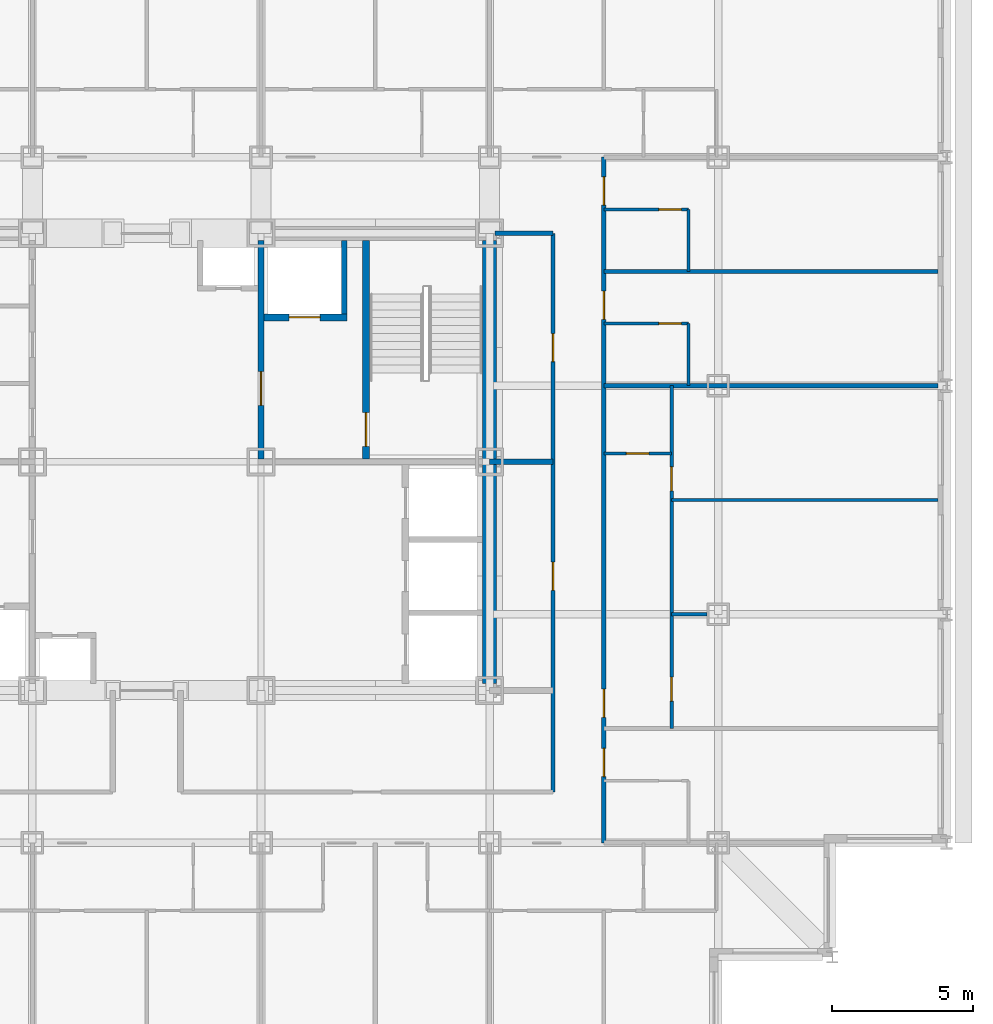
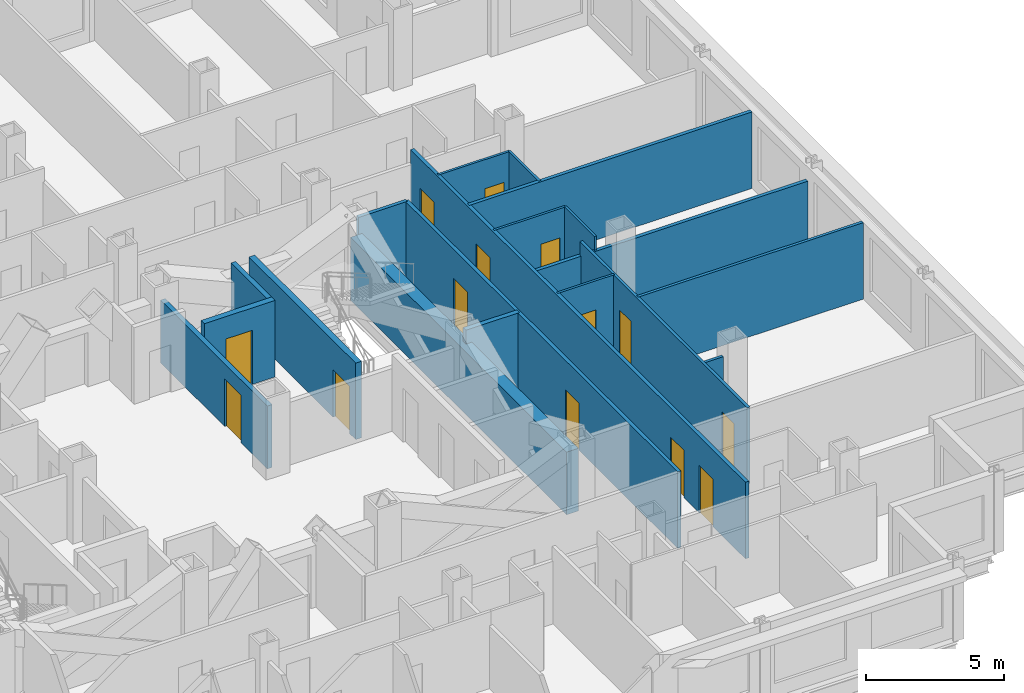
# One storey, part 8 of 12: 19 walls, 14 doors, 14 openings.
"""IFC4 building model written with IfcOpenShell, lengths in metres."""

from ifc_helpers import new_model, si_unit, direction, frame, frame_2d, origin, place, context, subcontext, project, spatial, rectangle, extrude, material, layer, layer_set, type_object, element, fill, save


model = new_model("IFC4")

# Units and contexts
model_context = context("Model", 3, precision=1e-05, world=origin(), true_north=direction((0.0, 1.0)))
body_context = subcontext(model_context, "Body", "Model", "MODEL_VIEW")
ifc_project = project(units=[si_unit("LENGTHUNIT", "METRE"), si_unit("AREAUNIT", "SQUARE_METRE"), si_unit("VOLUMEUNIT", "CUBIC_METRE"), si_unit("PLANEANGLEUNIT", "RADIAN"), si_unit("MASSUNIT", "GRAM", prefix="KILO")], contexts=[model_context])

# Site, building, storey
site_placement = place(None, origin())
site = spatial("IfcSite", under=ifc_project, at=site_placement, CompositionType="ELEMENT")
building_placement = place(site_placement, origin())
building = spatial("IfcBuilding", under=site, at=building_placement, Name="Kopane Lantern Tower", CompositionType="ELEMENT")
storey_placement = place(building_placement, frame((0.0, 0.0, 170.39990234375)))
storey = spatial("IfcBuildingStorey", under=building, at=storey_placement, Name="L43", CompositionType="ELEMENT", Elevation=170.39990234375)

# Wall, openings, doors
ifc_material_1 = material(Name="Gypsum board on steel studs", Category="steel")
ifc_layer_1 = layer(ifc_material_1, 0.1201171875)
ifc_layer_set_1 = layer_set([ifc_layer_1], Name="APARTMENT INTERNAL WALL 120")
wall_type_1 = type_object("IfcWallType", Name="APARTMENT INTERNAL WALL 120", PredefinedType="PARTITIONING", material=ifc_layer_set_1)
wall_1_placement = place(storey_placement, frame((46.949951171875, 22.949951171875, 0.0), z_axis=(0.0, 0.0, 1.0), x_axis=(0.0, 1.0, 0.0)))
wall_1 = element("IfcWall", 1, at=wall_1_placement, inside=storey, type_object=wall_type_1, Name="Apartment Internal Wall 120 L43", PredefinedType="PARTITIONING", context=body_context, shape_type="SweptSolid", body=[
    extrude(rectangle(XDim=12.150146484375, YDim=0.1201171875, at=frame_2d((6.0751953125, 0.0))), origin(), (0.0, 0.0, 1.0), 3.39013671875),
])
opening_1_placement = place(wall_1_placement, frame((0.97509765625, 0.0, 0.0)))
opening_1 = element("IfcOpeningElement", 2, at=opening_1_placement, cuts=wall_1, Name="Opening L43-048", PredefinedType="OPENING", context=body_context, shape_type="SweptSolid", body=[
    extrude(rectangle(XDim=0.85009765625, YDim=2.10009765625, at=frame_2d((0.425048828125, 1.050048828125))), frame((0.0, 0.070068359375, 0.0), z_axis=(0.0, -1.0, 0.0), x_axis=(1.0, 0.0, 0.0)), (0.0, 0.0, 1.0), 0.14013671875),
])
opening_2_placement = place(wall_1_placement, frame((8.425048828125, 0.0, 0.0)))
opening_2 = element("IfcOpeningElement", 3, at=opening_2_placement, cuts=wall_1, Name="Opening L43-049", PredefinedType="OPENING", context=body_context, shape_type="SweptSolid", body=[
    extrude(rectangle(XDim=0.85009765625, YDim=2.10009765625, at=frame_2d((0.425048828125, 1.050048828125))), frame((0.0, 0.070068359375, 0.0), z_axis=(0.0, -1.0, 0.0), x_axis=(1.0, 0.0, 0.0)), (0.0, 0.0, 1.0), 0.14013671875),
])
ifc_material_2 = material(Name="Timber door set", Category="wood")
door_type_1 = type_object("IfcDoorType", Name="DOOR D4 850x2100", OperationType="SINGLE_SWING_LEFT", PredefinedType="DOOR", material=ifc_material_2)
door_1_placement = place(opening_1_placement, origin())
door_1 = element("IfcDoor", 4, at=door_1_placement, inside=storey, type_object=door_type_1, Name="Door L43-048", OperationType="SINGLE_SWING_LEFT", OverallHeight=2.10009765625, OverallWidth=0.85009765625, PredefinedType="DOOR", context=body_context, shape_type="SweptSolid", body=[
    extrude(rectangle(XDim=0.85009765625, YDim=2.10009765625, at=frame_2d((0.425048828125, 1.050048828125))), frame((0.0, 0.02490234375, 0.0), z_axis=(0.0, -1.0, 0.0), x_axis=(1.0, 0.0, 0.0)), (0.0, 0.0, 1.0), 0.050048828125),
])
fill(opening_1, door_1)
door_2_placement = place(opening_2_placement, origin())
door_2 = element("IfcDoor", 5, at=door_2_placement, inside=storey, type_object=door_type_1, Name="Door L43-049", OperationType="SINGLE_SWING_RIGHT", OverallHeight=2.10009765625, OverallWidth=0.85009765625, PredefinedType="DOOR", context=body_context, shape_type="SweptSolid", body=[
    extrude(rectangle(XDim=0.85009765625, YDim=2.10009765625, at=frame_2d((0.425048828125, 1.050048828125))), frame((0.0, 0.02490234375, 0.0), z_axis=(0.0, -1.0, 0.0), x_axis=(1.0, 0.0, 0.0)), (0.0, 0.0, 1.0), 0.050048828125),
])
fill(opening_2, door_2)

# Walls
wall_2_placement = place(storey_placement, frame((46.949951171875, 31.050048828125, 0.0), z_axis=(0.0, 0.0, 1.0), x_axis=(1.0, 0.0, 0.0)))
element("IfcWall", 6, at=wall_2_placement, inside=storey, type_object=wall_type_1, Name="Apartment Internal Wall 120 L43", PredefinedType="PARTITIONING", context=body_context, shape_type="SweptSolid", body=[
    extrude(rectangle(XDim=9.449951171875, YDim=0.1201171875, at=frame_2d((4.72509765625, 0.0))), origin(), (0.0, 0.0, 1.0), 3.39013671875),
])
wall_3_placement = place(storey_placement, frame((46.949951171875, 27.0, 0.0), z_axis=(0.0, 0.0, 1.0), x_axis=(1.0, 0.0, 0.0)))
element("IfcWall", 7, at=wall_3_placement, inside=storey, type_object=wall_type_1, Name="Apartment Internal Wall 120 L43", PredefinedType="PARTITIONING", context=body_context, shape_type="SweptSolid", body=[
    extrude(rectangle(XDim=1.25, YDim=0.1201171875, at=frame_2d((0.625, 0.0))), origin(), (0.0, 0.0, 1.0), 2.77783203125),
])

# Wall, opening, door
ifc_material_3 = material(Name="Moisture-resistant board on steel studs", Category="steel")
ifc_layer_2 = layer(ifc_material_3, 0.10009765625)
ifc_layer_set_2 = layer_set([ifc_layer_2], Name="BATHROOM WALL 100")
wall_type_2 = type_object("IfcWallType", Name="BATHROOM WALL 100", PredefinedType="PARTITIONING", material=ifc_layer_set_2)
wall_4_placement = place(storey_placement, frame((44.550048828125, 32.699951171875, 0.0), z_axis=(0.0, 0.0, 1.0), x_axis=(1.0, 0.0, 0.0)))
wall_4 = element("IfcWall", 8, at=wall_4_placement, inside=storey, type_object=wall_type_2, Name="Bathroom Wall 100 L43", PredefinedType="PARTITIONING", context=body_context, shape_type="SweptSolid", body=[
    extrude(rectangle(XDim=2.39990234375, YDim=0.10009765625, at=frame_2d((1.199951171875, 0.0))), origin(), (0.0, 0.0, 1.0), 3.39013671875),
])
opening_3_placement = place(wall_4_placement, frame((0.800048828125, 0.0, 0.0)))
opening_3 = element("IfcOpeningElement", 9, at=opening_3_placement, cuts=wall_4, Name="Opening L43-046", PredefinedType="OPENING", context=body_context, shape_type="SweptSolid", body=[
    extrude(rectangle(XDim=0.800048828125, YDim=2.10009765625, at=frame_2d((0.39990234375, 1.050048828125))), frame((0.0, 0.06005859375, 0.0), z_axis=(0.0, -1.0, 0.0), x_axis=(1.0, 0.0, 0.0)), (0.0, 0.0, 1.0), 0.1201171875),
])
ifc_material_4 = material(Name="Timber door set", Category="wood")
door_type_2 = type_object("IfcDoorType", Name="DOOR D2 800x2100", OperationType="SINGLE_SWING_LEFT", PredefinedType="DOOR", material=ifc_material_4)
door_3_placement = place(opening_3_placement, origin())
door_3 = element("IfcDoor", 10, at=door_3_placement, inside=storey, type_object=door_type_2, Name="Door L43-046", OperationType="SINGLE_SWING_LEFT", OverallHeight=2.10009765625, OverallWidth=0.800048828125, PredefinedType="DOOR", context=body_context, shape_type="SweptSolid", body=[
    extrude(rectangle(XDim=0.800048828125, YDim=2.10009765625, at=frame_2d((0.39990234375, 1.050048828125))), frame((0.0, 0.02490234375, 0.0), z_axis=(0.0, -1.0, 0.0), x_axis=(1.0, 0.0, 0.0)), (0.0, 0.0, 1.0), 0.050048828125),
])
fill(opening_3, door_3)

# Wall
wall_5_placement = place(storey_placement, frame((47.550048828125, 35.10009765625, 0.0), z_axis=(0.0, 0.0, 1.0), x_axis=(0.0, 1.0, 0.0)))
element("IfcWall", 11, at=wall_5_placement, inside=storey, type_object=wall_type_2, Name="Bathroom Wall 100 L43", PredefinedType="PARTITIONING", context=body_context, shape_type="SweptSolid", body=[
    extrude(rectangle(XDim=2.199951171875, YDim=0.10009765625, at=frame_2d((1.10009765625, 0.0))), origin(), (0.0, 0.0, 1.0), 3.39013671875),
])

# Wall, opening, door
wall_6_placement = place(storey_placement, frame((44.550048828125, 37.300048828125, 0.0), z_axis=(0.0, 0.0, 1.0), x_axis=(1.0, 0.0, 0.0)))
wall_6 = element("IfcWall", 12, at=wall_6_placement, inside=storey, type_object=wall_type_2, Name="Bathroom Wall 100 L43", PredefinedType="PARTITIONING", context=body_context, shape_type="SweptSolid", body=[
    extrude(rectangle(XDim=3.0, YDim=0.10009765625, at=frame_2d((1.5, 0.0))), origin(), (0.0, 0.0, 1.0), 3.39013671875),
])
opening_4_placement = place(wall_6_placement, frame((1.949951171875, 0.0, 0.0)))
opening_4 = element("IfcOpeningElement", 13, at=opening_4_placement, cuts=wall_6, Name="Opening L43-050", PredefinedType="OPENING", context=body_context, shape_type="SweptSolid", body=[
    extrude(rectangle(XDim=0.800048828125, YDim=2.10009765625, at=frame_2d((0.39990234375, 1.050048828125))), frame((0.0, 0.06005859375, 0.0), z_axis=(0.0, -1.0, 0.0), x_axis=(1.0, 0.0, 0.0)), (0.0, 0.0, 1.0), 0.1201171875),
])
door_4_placement = place(opening_4_placement, origin())
door_4 = element("IfcDoor", 14, at=door_4_placement, inside=storey, type_object=door_type_2, Name="Door L43-050", OperationType="SINGLE_SWING_LEFT", OverallHeight=2.10009765625, OverallWidth=0.800048828125, PredefinedType="DOOR", context=body_context, shape_type="SweptSolid", body=[
    extrude(rectangle(XDim=0.800048828125, YDim=2.10009765625, at=frame_2d((0.39990234375, 1.050048828125))), frame((0.0, 0.02490234375, 0.0), z_axis=(0.0, -1.0, 0.0), x_axis=(1.0, 0.0, 0.0)), (0.0, 0.0, 1.0), 0.050048828125),
])
fill(opening_4, door_4)

# Wall
wall_7_placement = place(storey_placement, frame((47.550048828125, 39.14990234375, 0.0), z_axis=(0.0, 0.0, 1.0), x_axis=(0.0, 1.0, 0.0)))
element("IfcWall", 15, at=wall_7_placement, inside=storey, type_object=wall_type_2, Name="Bathroom Wall 100 L43", PredefinedType="PARTITIONING", context=body_context, shape_type="SweptSolid", body=[
    extrude(rectangle(XDim=2.2001953125, YDim=0.10009765625, at=frame_2d((1.10009765625, 0.0))), origin(), (0.0, 0.0, 1.0), 3.39013671875),
])

# Wall, opening, door
wall_8_placement = place(storey_placement, frame((44.550048828125, 41.35009765625, 0.0), z_axis=(0.0, 0.0, 1.0), x_axis=(1.0, 0.0, 0.0)))
wall_8 = element("IfcWall", 16, at=wall_8_placement, inside=storey, type_object=wall_type_2, Name="Bathroom Wall 100 L43", PredefinedType="PARTITIONING", context=body_context, shape_type="SweptSolid", body=[
    extrude(rectangle(XDim=3.0, YDim=0.10009765625, at=frame_2d((1.5, 0.0))), origin(), (0.0, 0.0, 1.0), 3.39013671875),
])
opening_5_placement = place(wall_8_placement, frame((1.949951171875, 0.0, 0.0)))
opening_5 = element("IfcOpeningElement", 17, at=opening_5_placement, cuts=wall_8, Name="Opening L43-052", PredefinedType="OPENING", context=body_context, shape_type="SweptSolid", body=[
    extrude(rectangle(XDim=0.800048828125, YDim=2.10009765625, at=frame_2d((0.39990234375, 1.050048828125))), frame((0.0, 0.06005859375, 0.0), z_axis=(0.0, -1.0, 0.0), x_axis=(1.0, 0.0, 0.0)), (0.0, 0.0, 1.0), 0.1201171875),
])
door_5_placement = place(opening_5_placement, origin())
door_5 = element("IfcDoor", 18, at=door_5_placement, inside=storey, type_object=door_type_2, Name="Door L43-052", OperationType="SINGLE_SWING_LEFT", OverallHeight=2.10009765625, OverallWidth=0.800048828125, PredefinedType="DOOR", context=body_context, shape_type="SweptSolid", body=[
    extrude(rectangle(XDim=0.800048828125, YDim=2.10009765625, at=frame_2d((0.39990234375, 1.050048828125))), frame((0.0, 0.02490234375, 0.0), z_axis=(0.0, -1.0, 0.0), x_axis=(1.0, 0.0, 0.0)), (0.0, 0.0, 1.0), 0.050048828125),
])
fill(opening_5, door_5)

# Wall
ifc_material_5 = material(Name="Gypsum shaft wall EI 120", Category="gypsum")
ifc_layer_3 = layer(ifc_material_5, 0.5)
ifc_layer_set_3 = layer_set([ifc_layer_3], Name="CORE PERIMETER WALL 500 EI 120")
wall_type_3 = type_object("IfcWallType", Name="CORE PERIMETER WALL 500 EI 120", PredefinedType="SOLIDWALL", material=ifc_layer_set_3)
wall_9_placement = place(storey_placement, frame((40.5, 24.550048828125, 0.0), z_axis=(0.0, 0.0, 1.0), x_axis=(0.0, 1.0, 0.0)))
element("IfcWall", 19, at=wall_9_placement, inside=storey, type_object=wall_type_3, Name="Core shaft wall L43 PE", PredefinedType="SOLIDWALL", context=body_context, shape_type="SweptSolid", body=[
    extrude(rectangle(XDim=15.699951171875, YDim=0.5, at=frame_2d((7.85009765625, 0.0))), origin(), (0.0, 0.0, 1.0), 2.77783203125),
])

# Wall, opening, door
ifc_material_6 = material(Name="Gypsum shaft wall EI 120", Category="gypsum")
ifc_layer_4 = layer(ifc_material_6, 0.25)
ifc_layer_set_4 = layer_set([ifc_layer_4], Name="CORE SHAFT WALL 250 EI 120")
wall_type_4 = type_object("IfcWallType", Name="CORE SHAFT WALL 250 EI 120", PredefinedType="SOLIDWALL", material=ifc_layer_set_4)
wall_10_placement = place(storey_placement, frame((36.125, 32.5, 0.0), z_axis=(0.0, 0.0, 1.0), x_axis=(0.0, 1.0, 0.0)))
wall_10 = element("IfcWall", 20, at=wall_10_placement, inside=storey, type_object=wall_type_4, Name="Core shaft wall L43 XST2", PredefinedType="SOLIDWALL", context=body_context, shape_type="SweptSolid", body=[
    extrude(rectangle(XDim=7.75, YDim=0.25, at=frame_2d((3.875, 0.0))), origin(), (0.0, 0.0, 1.0), 3.39013671875),
])
opening_6_placement = place(wall_10_placement, frame((0.449951171875, 0.0, 0.0)))
opening_6 = element("IfcOpeningElement", 21, at=opening_6_placement, cuts=wall_10, Name="Opening 43.SD2", PredefinedType="OPENING", context=body_context, shape_type="SweptSolid", body=[
    extrude(rectangle(XDim=1.199951171875, YDim=2.10009765625, at=frame_2d((0.60009765625, 1.050048828125))), frame((0.0, 0.135009765625, 0.0), z_axis=(0.0, -1.0, 0.0), x_axis=(1.0, 0.0, 0.0)), (0.0, 0.0, 1.0), 0.27001953125),
])
ifc_material_7 = material(Name="Steel door set", Category="steel")
door_type_3 = type_object("IfcDoorType", Name="STAIR DOOR 1200x2100 FD60S", OperationType="SINGLE_SWING_LEFT", PredefinedType="DOOR", material=ifc_material_7)
door_6_placement = place(opening_6_placement, origin())
door_6 = element("IfcDoor", 22, at=door_6_placement, inside=storey, type_object=door_type_3, Name="Stair door ST2 L43", OperationType="SINGLE_SWING_RIGHT", OverallHeight=2.10009765625, OverallWidth=1.199951171875, PredefinedType="DOOR", context=body_context, shape_type="SweptSolid", body=[
    extrude(rectangle(XDim=1.199951171875, YDim=2.10009765625, at=frame_2d((0.60009765625, 1.050048828125))), frame((0.0, 0.02490234375, 0.0), z_axis=(0.0, -1.0, 0.0), x_axis=(1.0, 0.0, 0.0)), (0.0, 0.0, 1.0), 0.050048828125),
])
fill(opening_6, door_6)

wall_11_placement = place(storey_placement, frame((32.5, 37.52490234375, 0.0), z_axis=(0.0, 0.0, 1.0), x_axis=(1.0, 0.0, 0.0)))
wall_11 = element("IfcWall", 23, at=wall_11_placement, inside=storey, type_object=wall_type_4, Name="Core shaft wall L43 YLF2", PredefinedType="SOLIDWALL", context=body_context, shape_type="SweptSolid", body=[
    extrude(rectangle(XDim=2.949951171875, YDim=0.25, at=frame_2d((1.47509765625, 0.0))), origin(), (0.0, 0.0, 1.0), 3.39013671875),
])
opening_7_placement = place(wall_11_placement, frame((0.89990234375, 0.0, 0.0)))
opening_7 = element("IfcOpeningElement", 24, at=opening_7_placement, cuts=wall_11, Name="Opening 43.LD-LF2", PredefinedType="OPENING", context=body_context, shape_type="SweptSolid", body=[
    extrude(rectangle(XDim=1.10009765625, YDim=2.39990234375, at=frame_2d((0.550048828125, 1.199951171875))), frame((0.0, 0.135009765625, 0.0), z_axis=(0.0, -1.0, 0.0), x_axis=(1.0, 0.0, 0.0)), (0.0, 0.0, 1.0), 0.27001953125),
])
ifc_material_8 = material(Name="Steel door set", Category="steel")
door_type_4 = type_object("IfcDoorType", Name="LIFT LANDING DOOR 1100x2400 FD60", OperationType="DOUBLE_DOOR_SLIDING", PredefinedType="DOOR", material=ifc_material_8)
door_7_placement = place(opening_7_placement, origin())
door_7 = element("IfcDoor", 25, at=door_7_placement, inside=storey, type_object=door_type_4, Name="Landing door LF2 L43", OperationType="DOUBLE_DOOR_SLIDING", OverallHeight=2.39990234375, OverallWidth=1.10009765625, PredefinedType="DOOR", context=body_context, shape_type="SweptSolid", body=[
    extrude(rectangle(XDim=1.10009765625, YDim=2.39990234375, at=frame_2d((0.550048828125, 1.199951171875))), frame((0.0, 0.02490234375, 0.0), z_axis=(0.0, -1.0, 0.0), x_axis=(1.0, 0.0, 0.0)), (0.0, 0.0, 1.0), 0.050048828125),
])
fill(opening_7, door_7)

# Wall, openings, doors
ifc_material_9 = material(Name="Gypsum board on steel studs", Category="steel")
ifc_layer_5 = layer(ifc_material_9, 0.14990234375)
ifc_layer_set_5 = layer_set([ifc_layer_5], Name="CORRIDOR WALL 150 EI 60")
wall_type_5 = type_object("IfcWallType", Name="CORRIDOR WALL 150 EI 60", PredefinedType="PARTITIONING", material=ifc_layer_set_5)
wall_12_placement = place(storey_placement, frame((44.550048828125, 18.89990234375, 0.0), z_axis=(0.0, 0.0, 1.0), x_axis=(0.0, 1.0, 0.0)))
wall_12 = element("IfcWall", 26, at=wall_12_placement, inside=storey, type_object=wall_type_5, Name="Corridor Wall 150 Ei 60 L43", PredefinedType="PARTITIONING", context=body_context, shape_type="SweptSolid", body=[
    extrude(rectangle(XDim=24.300048828125, YDim=0.14990234375, at=frame_2d((12.14990234375, 0.0))), origin(), (0.0, 0.0, 1.0), 3.39013671875),
])
opening_8_placement = place(wall_12_placement, frame((2.35009765625, 0.0, 0.0)))
opening_8 = element("IfcOpeningElement", 27, at=opening_8_placement, cuts=wall_12, Name="Opening L43-045", PredefinedType="OPENING", context=body_context, shape_type="SweptSolid", body=[
    extrude(rectangle(XDim=1.0, YDim=2.10009765625, at=frame_2d((0.5, 1.050048828125))), frame((0.0, 0.0849609375, 0.0), z_axis=(0.0, -1.0, 0.0), x_axis=(1.0, 0.0, 0.0)), (0.0, 0.0, 1.0), 0.169921875),
])
opening_9_placement = place(wall_12_placement, frame((4.449951171875, 0.0, 0.0)))
opening_9 = element("IfcOpeningElement", 28, at=opening_9_placement, cuts=wall_12, Name="Opening L43-047", PredefinedType="OPENING", context=body_context, shape_type="SweptSolid", body=[
    extrude(rectangle(XDim=1.0, YDim=2.10009765625, at=frame_2d((0.5, 1.050048828125))), frame((0.0, 0.0849609375, 0.0), z_axis=(0.0, -1.0, 0.0), x_axis=(1.0, 0.0, 0.0)), (0.0, 0.0, 1.0), 0.169921875),
])
opening_10_placement = place(wall_12_placement, frame((18.550048828125, 0.0, 0.0)))
opening_10 = element("IfcOpeningElement", 29, at=opening_10_placement, cuts=wall_12, Name="Opening L43-051", PredefinedType="OPENING", context=body_context, shape_type="SweptSolid", body=[
    extrude(rectangle(XDim=1.0, YDim=2.10009765625, at=frame_2d((0.5, 1.050048828125))), frame((0.0, 0.0849609375, 0.0), z_axis=(0.0, -1.0, 0.0), x_axis=(1.0, 0.0, 0.0)), (0.0, 0.0, 1.0), 0.169921875),
])
opening_11_placement = place(wall_12_placement, frame((22.60009765625, 0.0, 0.0)))
opening_11 = element("IfcOpeningElement", 30, at=opening_11_placement, cuts=wall_12, Name="Opening L43-053", PredefinedType="OPENING", context=body_context, shape_type="SweptSolid", body=[
    extrude(rectangle(XDim=1.0, YDim=2.10009765625, at=frame_2d((0.5, 1.050048828125))), frame((0.0, 0.0849609375, 0.0), z_axis=(0.0, -1.0, 0.0), x_axis=(1.0, 0.0, 0.0)), (0.0, 0.0, 1.0), 0.169921875),
])
ifc_material_10 = material(Name="Steel door set", Category="steel")
door_type_5 = type_object("IfcDoorType", Name="DOOR D3 1000x2100 FD30S", OperationType="SINGLE_SWING_LEFT", PredefinedType="DOOR", material=ifc_material_10)
door_8_placement = place(opening_8_placement, origin())
door_8 = element("IfcDoor", 31, at=door_8_placement, inside=storey, type_object=door_type_5, Name="Door L43-045", OperationType="SINGLE_SWING_RIGHT", OverallHeight=2.10009765625, OverallWidth=1.0, PredefinedType="DOOR", context=body_context, shape_type="SweptSolid", body=[
    extrude(rectangle(XDim=1.0, YDim=2.10009765625, at=frame_2d((0.5, 1.050048828125))), frame((0.0, 0.02490234375, 0.0), z_axis=(0.0, -1.0, 0.0), x_axis=(1.0, 0.0, 0.0)), (0.0, 0.0, 1.0), 0.050048828125),
])
fill(opening_8, door_8)
door_9_placement = place(opening_9_placement, origin())
door_9 = element("IfcDoor", 32, at=door_9_placement, inside=storey, type_object=door_type_5, Name="Door L43-047", OperationType="SINGLE_SWING_RIGHT", OverallHeight=2.10009765625, OverallWidth=1.0, PredefinedType="DOOR", context=body_context, shape_type="SweptSolid", body=[
    extrude(rectangle(XDim=1.0, YDim=2.10009765625, at=frame_2d((0.5, 1.050048828125))), frame((0.0, 0.02490234375, 0.0), z_axis=(0.0, -1.0, 0.0), x_axis=(1.0, 0.0, 0.0)), (0.0, 0.0, 1.0), 0.050048828125),
])
fill(opening_9, door_9)
door_10_placement = place(opening_10_placement, origin())
door_10 = element("IfcDoor", 33, at=door_10_placement, inside=storey, type_object=door_type_5, Name="Door L43-051", OperationType="SINGLE_SWING_RIGHT", OverallHeight=2.10009765625, OverallWidth=1.0, PredefinedType="DOOR", context=body_context, shape_type="SweptSolid", body=[
    extrude(rectangle(XDim=1.0, YDim=2.10009765625, at=frame_2d((0.5, 1.050048828125))), frame((0.0, 0.02490234375, 0.0), z_axis=(0.0, -1.0, 0.0), x_axis=(1.0, 0.0, 0.0)), (0.0, 0.0, 1.0), 0.050048828125),
])
fill(opening_10, door_10)
door_11_placement = place(opening_11_placement, origin())
door_11 = element("IfcDoor", 34, at=door_11_placement, inside=storey, type_object=door_type_5, Name="Door L43-053", OperationType="SINGLE_SWING_RIGHT", OverallHeight=2.10009765625, OverallWidth=1.0, PredefinedType="DOOR", context=body_context, shape_type="SweptSolid", body=[
    extrude(rectangle(XDim=1.0, YDim=2.10009765625, at=frame_2d((0.5, 1.050048828125))), frame((0.0, 0.02490234375, 0.0), z_axis=(0.0, -1.0, 0.0), x_axis=(1.0, 0.0, 0.0)), (0.0, 0.0, 1.0), 0.050048828125),
])
fill(opening_11, door_11)

wall_13_placement = place(storey_placement, frame((42.75, 20.699951171875, 0.0), z_axis=(0.0, 0.0, 1.0), x_axis=(0.0, 1.0, 0.0)))
wall_13 = element("IfcWall", 35, at=wall_13_placement, inside=storey, type_object=wall_type_5, Name="Corridor Wall 150 Ei 60 L43", PredefinedType="PARTITIONING", context=body_context, shape_type="SweptSolid", body=[
    extrude(rectangle(XDim=19.800048828125, YDim=0.14990234375, at=frame_2d((9.89990234375, 0.0))), origin(), (0.0, 0.0, 1.0), 3.39013671875),
])
opening_12_placement = place(wall_13_placement, frame((7.14990234375, 0.0, 0.0)))
opening_12 = element("IfcOpeningElement", 36, at=opening_12_placement, cuts=wall_13, Name="Opening L43-003", PredefinedType="OPENING", context=body_context, shape_type="SweptSolid", body=[
    extrude(rectangle(XDim=1.0, YDim=2.10009765625, at=frame_2d((0.5, 1.050048828125))), frame((0.0, 0.0849609375, 0.0), z_axis=(0.0, -1.0, 0.0), x_axis=(1.0, 0.0, 0.0)), (0.0, 0.0, 1.0), 0.169921875),
])
opening_13_placement = place(wall_13_placement, frame((15.25, 0.0, 0.0)))
opening_13 = element("IfcOpeningElement", 37, at=opening_13_placement, cuts=wall_13, Name="Opening L43-004", PredefinedType="OPENING", context=body_context, shape_type="SweptSolid", body=[
    extrude(rectangle(XDim=1.0, YDim=2.10009765625, at=frame_2d((0.5, 1.050048828125))), frame((0.0, 0.0849609375, 0.0), z_axis=(0.0, -1.0, 0.0), x_axis=(1.0, 0.0, 0.0)), (0.0, 0.0, 1.0), 0.169921875),
])
ifc_material_11 = material(Name="Steel door set", Category="steel")
door_type_6 = type_object("IfcDoorType", Name="DOOR D5 1000x2100 FD60", OperationType="SINGLE_SWING_LEFT", PredefinedType="DOOR", material=ifc_material_11)
door_12_placement = place(opening_12_placement, origin())
door_12 = element("IfcDoor", 38, at=door_12_placement, inside=storey, type_object=door_type_6, Name="Door L43-003", OperationType="SINGLE_SWING_LEFT", OverallHeight=2.10009765625, OverallWidth=1.0, PredefinedType="DOOR", context=body_context, shape_type="SweptSolid", body=[
    extrude(rectangle(XDim=1.0, YDim=2.10009765625, at=frame_2d((0.5, 1.050048828125))), frame((0.0, 0.02490234375, 0.0), z_axis=(0.0, -1.0, 0.0), x_axis=(1.0, 0.0, 0.0)), (0.0, 0.0, 1.0), 0.050048828125),
])
fill(opening_12, door_12)
door_13_placement = place(opening_13_placement, origin())
door_13 = element("IfcDoor", 39, at=door_13_placement, inside=storey, type_object=door_type_6, Name="Door L43-004", OperationType="SINGLE_SWING_RIGHT", OverallHeight=2.10009765625, OverallWidth=1.0, PredefinedType="DOOR", context=body_context, shape_type="SweptSolid", body=[
    extrude(rectangle(XDim=1.0, YDim=2.10009765625, at=frame_2d((0.5, 1.050048828125))), frame((0.0, 0.02490234375, 0.0), z_axis=(0.0, -1.0, 0.0), x_axis=(1.0, 0.0, 0.0)), (0.0, 0.0, 1.0), 0.050048828125),
])
fill(opening_13, door_13)

# Walls
wall_14_placement = place(storey_placement, frame((42.75, 40.5, 0.0), z_axis=(0.0, 0.0, 1.0), x_axis=(-1.0, 0.0, 0.0)))
element("IfcWall", 40, at=wall_14_placement, inside=storey, type_object=wall_type_5, Name="Corridor Wall 150 Ei 60 L43", PredefinedType="PARTITIONING", context=body_context, shape_type="SweptSolid", body=[
    extrude(rectangle(XDim=2.050048828125, YDim=0.14990234375, at=frame_2d((1.02490234375, 0.0))), origin(), (0.0, 0.0, 1.0), 3.39013671875),
])
ifc_material_12 = material(Name="Gypsum board on steel studs", Category="steel")
ifc_layer_6 = layer(ifc_material_12, 0.14990234375)
ifc_layer_set_6 = layer_set([ifc_layer_6], Name="DEMISING WALL 150 EI 60")
wall_type_6 = type_object("IfcWallType", Name="DEMISING WALL 150 EI 60", PredefinedType="PARTITIONING", material=ifc_layer_set_6)
wall_15_placement = place(storey_placement, frame((44.550048828125, 35.10009765625, 0.0), z_axis=(0.0, 0.0, 1.0), x_axis=(1.0, 0.0, 0.0)))
element("IfcWall", 41, at=wall_15_placement, inside=storey, type_object=wall_type_6, Name="Demising Wall 150 Ei 60 L43", PredefinedType="PARTITIONING", context=body_context, shape_type="SweptSolid", body=[
    extrude(rectangle(XDim=11.849853515625, YDim=0.14990234375, at=frame_2d((5.9248046875, 0.0))), origin(), (0.0, 0.0, 1.0), 2.77783203125),
])
wall_16_placement = place(storey_placement, frame((44.550048828125, 39.14990234375, 0.0), z_axis=(0.0, 0.0, 1.0), x_axis=(1.0, 0.0, 0.0)))
element("IfcWall", 42, at=wall_16_placement, inside=storey, type_object=wall_type_6, Name="Demising Wall 150 Ei 60 L43", PredefinedType="PARTITIONING", context=body_context, shape_type="SweptSolid", body=[
    extrude(rectangle(XDim=11.849853515625, YDim=0.14990234375, at=frame_2d((5.9248046875, 0.0))), origin(), (0.0, 0.0, 1.0), 3.39013671875),
])
ifc_material_13 = material(Name="Concrete masonry", Category="masonry")
ifc_layer_7 = layer(ifc_material_13, 0.199951171875)
ifc_layer_set_7 = layer_set([ifc_layer_7], Name="PLANT ROOM WALL 200 EI 120")
wall_type_7 = type_object("IfcWallType", Name="PLANT ROOM WALL 200 EI 120", PredefinedType="SOLIDWALL", material=ifc_layer_set_7)
wall_17_placement = place(storey_placement, frame((40.5, 32.39990234375, 0.0), z_axis=(0.0, 0.0, 1.0), x_axis=(1.0, 0.0, 0.0)))
element("IfcWall", 43, at=wall_17_placement, inside=storey, type_object=wall_type_7, Name="Plant Room Wall 200 Ei 120 L43", PredefinedType="SOLIDWALL", context=body_context, shape_type="SweptSolid", body=[
    extrude(rectangle(XDim=2.25, YDim=0.199951171875, at=frame_2d((1.125, 0.0))), origin(), (0.0, 0.0, 1.0), 3.39013671875),
])

# Wall, opening, door
ifc_material_14 = material(Name="Gypsum shaft wall EI 120", Category="gypsum")
ifc_layer_8 = layer(ifc_material_14, 0.199951171875)
ifc_layer_set_8 = layer_set([ifc_layer_8], Name="SHAFT WALL 200 EI 120")
wall_type_8 = type_object("IfcWallType", Name="SHAFT WALL 200 EI 120", PredefinedType="SOLIDWALL", material=ifc_layer_set_8)
wall_18_placement = place(storey_placement, frame((32.39990234375, 32.5, 0.0), z_axis=(0.0, 0.0, 1.0), x_axis=(0.0, 1.0, 0.0)))
wall_18 = element("IfcWall", 44, at=wall_18_placement, inside=storey, type_object=wall_type_8, Name="Core shaft wall L43 X324", PredefinedType="SOLIDWALL", context=body_context, shape_type="SweptSolid", body=[
    extrude(rectangle(XDim=7.75, YDim=0.199951171875, at=frame_2d((3.875, 0.0))), origin(), (0.0, 0.0, 1.0), 2.77783203125),
])
opening_14_placement = place(wall_18_placement, frame((1.89990234375, 0.0, 0.0)))
opening_14 = element("IfcOpeningElement", 45, at=opening_14_placement, cuts=wall_18, Name="Opening 43.FL2", PredefinedType="OPENING", context=body_context, shape_type="SweptSolid", body=[
    extrude(rectangle(XDim=1.199951171875, YDim=2.10009765625, at=frame_2d((0.60009765625, 1.050048828125))), frame((0.0, 0.10986328125, 0.0), z_axis=(0.0, -1.0, 0.0), x_axis=(1.0, 0.0, 0.0)), (0.0, 0.0, 1.0), 0.219970703125),
])
ifc_material_15 = material(Name="Steel door set", Category="steel")
door_type_7 = type_object("IfcDoorType", Name="FIREFIGHTING LOBBY DOOR 1200x2100 FD60S", OperationType="SINGLE_SWING_RIGHT", PredefinedType="DOOR", material=ifc_material_15)
door_14_placement = place(opening_14_placement, origin())
door_14 = element("IfcDoor", 46, at=door_14_placement, inside=storey, type_object=door_type_7, Name="Firefighting lobby door FL2 L43", OperationType="SINGLE_SWING_LEFT", OverallHeight=2.10009765625, OverallWidth=1.199951171875, PredefinedType="DOOR", context=body_context, shape_type="SweptSolid", body=[
    extrude(rectangle(XDim=1.199951171875, YDim=2.10009765625, at=frame_2d((0.60009765625, 1.050048828125))), frame((0.0, 0.02490234375, 0.0), z_axis=(0.0, -1.0, 0.0), x_axis=(1.0, 0.0, 0.0)), (0.0, 0.0, 1.0), 0.050048828125),
])
fill(opening_14, door_14)

# Wall
wall_19_placement = place(storey_placement, frame((35.35009765625, 37.64990234375, 0.0), z_axis=(0.0, 0.0, 1.0), x_axis=(0.0, 1.0, 0.0)))
element("IfcWall", 47, at=wall_19_placement, inside=storey, type_object=wall_type_8, Name="Core shaft wall L43 XLF2", PredefinedType="SOLIDWALL", context=body_context, shape_type="SweptSolid", body=[
    extrude(rectangle(XDim=2.60009765625, YDim=0.199951171875, at=frame_2d((1.300048828125, 0.0))), origin(), (0.0, 0.0, 1.0), 3.39013671875),
])

save(model, "model.ifc")
